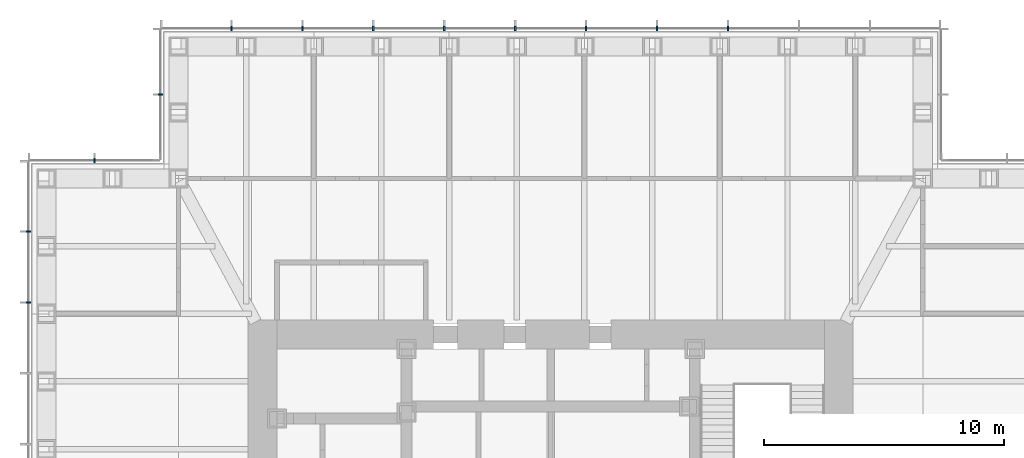
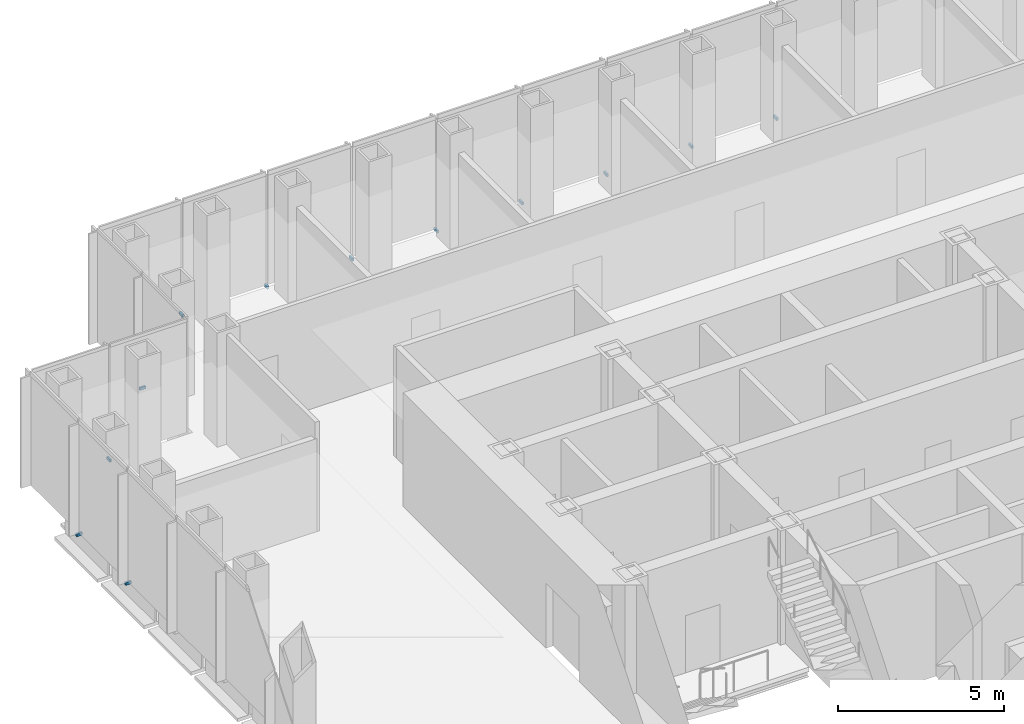
# One storey, part 14 of 16: 12 discrete accessories.
"""IFC4 building model written with IfcOpenShell, lengths in metres."""

from ifc_helpers import new_model, si_unit, direction, frame, origin, origin_2d, place, context, subcontext, project, spatial, rectangle, extrude, element, save


model = new_model("IFC4")

# Units and contexts
model_context = context("Model", 3, precision=1e-05, world=origin(), true_north=direction((0.0, 1.0)))
body_context = subcontext(model_context, "Body", "Model", "MODEL_VIEW")
ifc_project = project(units=[si_unit("LENGTHUNIT", "METRE"), si_unit("AREAUNIT", "SQUARE_METRE"), si_unit("VOLUMEUNIT", "CUBIC_METRE"), si_unit("PLANEANGLEUNIT", "RADIAN"), si_unit("MASSUNIT", "GRAM", prefix="KILO")], contexts=[model_context])

# Site, building, storey
site_placement = place(None, origin())
site = spatial("IfcSite", under=ifc_project, at=site_placement, CompositionType="ELEMENT")
building_placement = place(site_placement, origin())
building = spatial("IfcBuilding", under=site, at=building_placement, Name="Daluyong Arena Tower", CompositionType="ELEMENT")
storey_placement = place(building_placement, frame((0.0, 0.0, 227.5)))
storey = spatial("IfcBuildingStorey", under=building, at=storey_placement, Name="L51", CompositionType="ELEMENT", Elevation=227.5)

# Discrete accessories
for number, where, z_axis, x_axis, name in (
    (1, (63.386474609375, 101.75, -0.10009765625), (0.0, 0.0, 1.0), (-1.0, 0.0, 0.0), "curtain wall L51 N anchor bracket 4"),
    (2, (60.431884765625, 101.75, -0.10009765625), (0.0, 0.0, 1.0), (-1.0, 0.0, 0.0), "curtain wall L51 N anchor bracket 5"),
    (3, (57.477294921875, 101.75, -0.10009765625), (0.0, 0.0, 1.0), (-1.0, 0.0, 0.0), "curtain wall L51 N anchor bracket 6"),
    (4, (54.522705078125, 101.75, -0.10009765625), (0.0, 0.0, 1.0), (-1.0, 0.0, 0.0), "curtain wall L51 N anchor bracket 7"),
    (5, (51.568115234375, 101.75, -0.10009765625), (0.0, 0.0, 1.0), (-1.0, 0.0, 0.0), "curtain wall L51 N anchor bracket 8"),
    (6, (48.613525390625, 101.75, -0.10009765625), (0.0, 0.0, 1.0), (-1.0, 0.0, 0.0), "curtain wall L51 N anchor bracket 9"),
    (7, (45.6591796875, 101.75, -0.10009765625), (0.0, 0.0, 1.0), (-1.0, 0.0, 0.0), "curtain wall L51 N anchor bracket 10"),
    (8, (42.70458984375, 101.75, -0.10009765625), (0.0, 0.0, 1.0), (-1.0, 0.0, 0.0), "curtain wall L51 N anchor bracket 11"),
):
    element("IfcDiscreteAccessory", number, at=place(storey_placement, frame(where, z_axis=z_axis, x_axis=x_axis)), inside=storey, Name=name, PredefinedType="BRACKET", context=body_context, shape_type="SweptSolid", body=[
        extrude(rectangle(XDim=0.070068359375, YDim=0.199951171875, at=origin_2d()), origin(), (0.0, 0.0, 1.0), 0.10009765625),
    ])
for number, where, z_axis, x_axis, name in (
    (9, (39.75, 99.0, -0.10009765625), (0.0, 0.0, 1.0), (0.0, -1.0, 0.0), "curtain wall L51 NW-W anchor bracket 2"),
    (10, (37.0, 96.25, -0.10009765625), (0.0, 0.0, 1.0), (-1.0, 0.0, 0.0), "curtain wall L51 NW-N anchor bracket 2"),
):
    element("IfcDiscreteAccessory", number, at=place(storey_placement, frame(where, z_axis=z_axis, x_axis=x_axis)), inside=storey, Name=name, PredefinedType="BRACKET", context=body_context, shape_type="SweptSolid", body=[
        extrude(rectangle(XDim=0.06005859375, YDim=0.199951171875, at=origin_2d()), origin(), (0.0, 0.0, 1.0), 0.10009765625),
    ])
for number, where, z_axis, x_axis, name in (
    (11, (34.25, 93.29541015625, -0.10009765625), (0.0, 0.0, 1.0), (0.0, -1.0, 0.0), "curtain wall L51 W anchor bracket 2"),
    (12, (34.25, 90.3408203125, -0.10009765625), (0.0, 0.0, 1.0), (0.0, -1.0, 0.0), "curtain wall L51 W anchor bracket 3"),
):
    element("IfcDiscreteAccessory", number, at=place(storey_placement, frame(where, z_axis=z_axis, x_axis=x_axis)), inside=storey, Name=name, PredefinedType="BRACKET", context=body_context, shape_type="SweptSolid", body=[
        extrude(rectangle(XDim=0.070068359375, YDim=0.199951171875, at=origin_2d()), origin(), (0.0, 0.0, 1.0), 0.10009765625),
    ])

save(model, "model.ifc")
